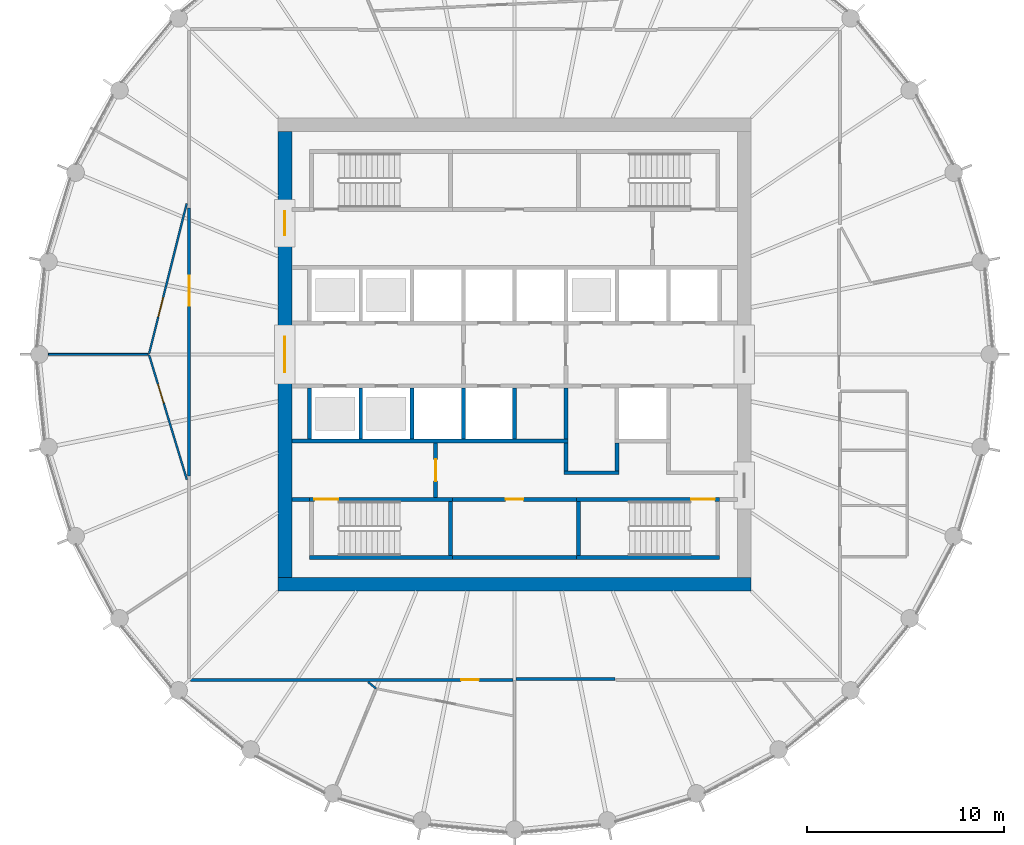
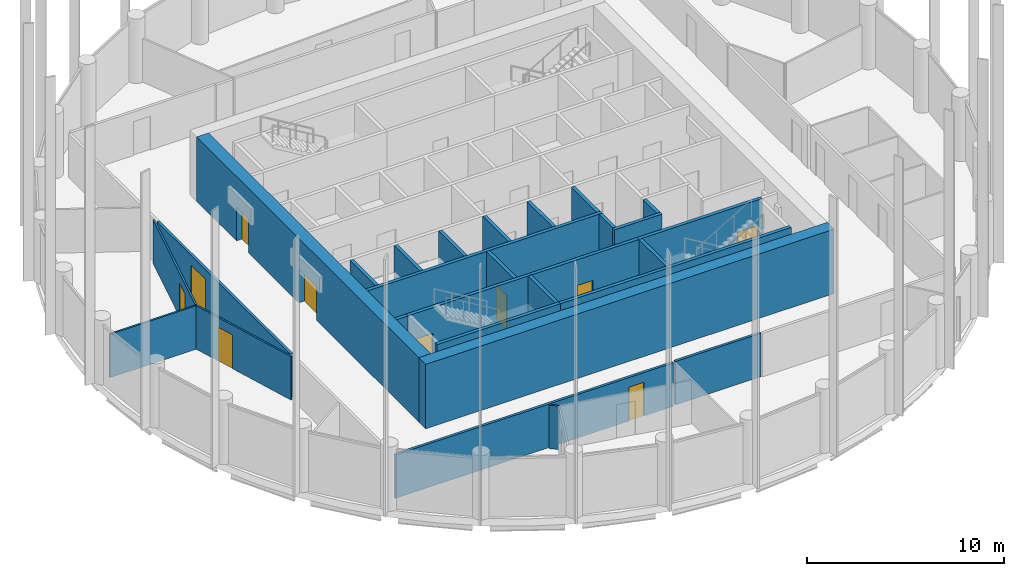
# One storey, part 4 of 9: 29 walls, 10 doors, 10 openings.
"""IFC4 building model written with IfcOpenShell, lengths in metres."""

from ifc_helpers import new_model, si_unit, direction, frame, frame_2d, origin, place, context, subcontext, project, spatial, polyline, rectangle, outline, extrude, material, layer, layer_set, type_object, element, fill, save


model = new_model("IFC4")

# Units and contexts
model_context = context("Model", 3, precision=1e-05, world=origin(), true_north=direction((0.0, 1.0)))
body_context = subcontext(model_context, "Body", "Model", "MODEL_VIEW")
ifc_project = project(units=[si_unit("LENGTHUNIT", "METRE"), si_unit("AREAUNIT", "SQUARE_METRE"), si_unit("VOLUMEUNIT", "CUBIC_METRE"), si_unit("PLANEANGLEUNIT", "RADIAN"), si_unit("MASSUNIT", "GRAM", prefix="KILO")], contexts=[model_context])

# Site, building, storey
site_placement = place(None, origin())
site = spatial("IfcSite", under=ifc_project, at=site_placement, CompositionType="ELEMENT")
building_placement = place(site_placement, origin())
building = spatial("IfcBuilding", under=site, at=building_placement, Name="Corvane Civic Tower", CompositionType="ELEMENT")
storey_placement = place(building_placement, frame((0.0, 0.0, 263.0)))
storey = spatial("IfcBuildingStorey", under=building, at=storey_placement, Name="L62", CompositionType="ELEMENT", Elevation=263.0)

# Wall
ifc_material_1 = material(Name="Concrete C40/50", Category="concrete")
ifc_layer_1 = layer(ifc_material_1, 0.699951171875)
ifc_layer_set_1 = layer_set([ifc_layer_1], Name="Concrete C40/50")
wall_type_1 = type_object("IfcWallType", Name="CORE WALL 700 C40/50", PredefinedType="SHEAR", material=ifc_layer_set_1)
wall_1_placement = place(storey_placement, frame((-12.0, -11.64990234375, 0.0), z_axis=(0.0, 0.0, 1.0), x_axis=(1.0, 0.0, 0.0)))
element("IfcWall", 1, at=wall_1_placement, inside=storey, type_object=wall_type_1, Name="W-L62-core-S", PredefinedType="SHEAR", context=body_context, shape_type="SweptSolid", body=[
    extrude(rectangle(XDim=24.0, YDim=0.699951171875, at=frame_2d((12.0, 0.0))), origin(), (0.0, 0.0, 1.0), 4.0),
])

# Wall, openings, doors
wall_2_placement = place(storey_placement, frame((-11.64990234375, -11.300048828125, 0.0), z_axis=(0.0, 0.0, 1.0), x_axis=(0.0, 1.0, 0.0)))
wall_2 = element("IfcWall", 2, at=wall_2_placement, inside=storey, type_object=wall_type_1, Name="W-L62-core-W", PredefinedType="SHEAR", context=body_context, shape_type="SweptSolid", body=[
    extrude(rectangle(XDim=22.60009765625, YDim=0.699951171875, at=frame_2d((11.300048828125, 0.0))), origin(), (0.0, 0.0, 1.0), 4.0),
])
opening_1_placement = place(wall_2_placement, frame((10.39990234375, 0.0, 0.0)))
opening_1 = element("IfcOpeningElement", 3, at=opening_1_placement, cuts=wall_2, Name="Opening L62.C14", PredefinedType="OPENING", context=body_context, shape_type="SweptSolid", body=[
    extrude(rectangle(XDim=1.800048828125, YDim=2.10009765625, at=frame_2d((0.89990234375, 1.050048828125))), frame((0.0, 0.35986328125, 0.0), z_axis=(0.0, -1.0, 0.0), x_axis=(1.0, 0.0, 0.0)), (0.0, 0.0, 1.0), 0.719970703125),
])
opening_2_placement = place(wall_2_placement, frame((17.35009765625, 0.0, 0.0)))
opening_2 = element("IfcOpeningElement", 4, at=opening_2_placement, cuts=wall_2, Name="Opening L62.C16", PredefinedType="OPENING", context=body_context, shape_type="SweptSolid", body=[
    extrude(rectangle(XDim=1.199951171875, YDim=2.10009765625, at=frame_2d((0.60009765625, 1.050048828125))), frame((0.0, 0.35986328125, 0.0), z_axis=(0.0, -1.0, 0.0), x_axis=(1.0, 0.0, 0.0)), (0.0, 0.0, 1.0), 0.719970703125),
])
ifc_material_2 = material(Name="Steel fire door leaf", Category="steel")
door_type_1 = type_object("IfcDoorType", Name="CR-DOOR-CORE-1800", OperationType="DOUBLE_DOOR_SINGLE_SWING", PredefinedType="DOOR", material=ifc_material_2)
door_1_placement = place(opening_1_placement, origin())
door_1 = element("IfcDoor", 5, at=door_1_placement, inside=storey, type_object=door_type_1, Name="L62 door", OperationType="DOUBLE_DOOR_SINGLE_SWING", OverallHeight=2.10009765625, OverallWidth=1.800048828125, PredefinedType="DOOR", context=body_context, shape_type="SweptSolid", body=[
    extrude(rectangle(XDim=1.800048828125, YDim=2.10009765625, at=frame_2d((0.89990234375, 1.050048828125))), frame((0.0, 0.02490234375, 0.0), z_axis=(0.0, -1.0, 0.0), x_axis=(1.0, 0.0, 0.0)), (0.0, 0.0, 1.0), 0.050048828125),
])
fill(opening_1, door_1)
door_2_placement = place(opening_2_placement, origin())
door_2 = element("IfcDoor", 6, at=door_2_placement, inside=storey, type_object=door_type_1, Name="L62 door", OperationType="DOUBLE_DOOR_SINGLE_SWING", OverallHeight=2.10009765625, OverallWidth=1.199951171875, PredefinedType="DOOR", context=body_context, shape_type="SweptSolid", body=[
    extrude(rectangle(XDim=1.199951171875, YDim=2.10009765625, at=frame_2d((0.60009765625, 1.050048828125))), frame((0.0, 0.02490234375, 0.0), z_axis=(0.0, -1.0, 0.0), x_axis=(1.0, 0.0, 0.0)), (0.0, 0.0, 1.0), 0.050048828125),
])
fill(opening_2, door_2)

# Wall, opening, door
ifc_material_3 = material(Name="Concrete C30/37", Category="concrete")
ifc_layer_2 = layer(ifc_material_3, 0.199951171875)
ifc_layer_set_2 = layer_set([ifc_layer_2], Name="Concrete C30/37")
wall_type_2 = type_object("IfcWallType", Name="CR-WALL-200", PredefinedType="PARTITIONING", material=ifc_layer_set_2)
wall_3_placement = place(storey_placement, frame((-3.14990234375, -7.35009765625, 0.0), z_axis=(0.0, 0.0, 1.0), x_axis=(1.0, 0.0, 0.0)))
wall_3 = element("IfcWall", 7, at=wall_3_placement, inside=storey, type_object=wall_type_2, Name="L62 core partition wall", PredefinedType="PARTITIONING", context=body_context, shape_type="SweptSolid", body=[
    extrude(rectangle(XDim=6.2998046875, YDim=0.199951171875, at=frame_2d((3.14990234375, 0.0))), origin(), (0.0, 0.0, 1.0), 3.699951171875),
])
opening_3_placement = place(wall_3_placement, frame((2.699951171875, 0.0, 0.0)))
opening_3 = element("IfcOpeningElement", 8, at=opening_3_placement, cuts=wall_3, Name="Opening L62.C05", PredefinedType="OPENING", context=body_context, shape_type="SweptSolid", body=[
    extrude(rectangle(XDim=0.89990234375, YDim=2.10009765625, at=frame_2d((0.449951171875, 1.050048828125))), frame((0.0, 0.10986328125, 0.0), z_axis=(0.0, -1.0, 0.0), x_axis=(1.0, 0.0, 0.0)), (0.0, 0.0, 1.0), 0.219970703125),
])
ifc_material_4 = material(Name="Steel fire door leaf", Category="steel")
door_type_2 = type_object("IfcDoorType", Name="CR-DOOR-900", OperationType="SINGLE_SWING_LEFT", PredefinedType="DOOR", material=ifc_material_4)
door_3_placement = place(opening_3_placement, origin())
door_3 = element("IfcDoor", 9, at=door_3_placement, inside=storey, type_object=door_type_2, Name="L62 door", OperationType="SINGLE_SWING_LEFT", OverallHeight=2.10009765625, OverallWidth=0.89990234375, PredefinedType="DOOR", context=body_context, shape_type="SweptSolid", body=[
    extrude(rectangle(XDim=0.89990234375, YDim=2.10009765625, at=frame_2d((0.449951171875, 1.050048828125))), frame((0.0, 0.02490234375, 0.0), z_axis=(0.0, -1.0, 0.0), x_axis=(1.0, 0.0, 0.0)), (0.0, 0.0, 1.0), 0.050048828125),
])
fill(opening_3, door_3)

wall_4_placement = place(storey_placement, frame((-4.0, -7.25, 0.0), z_axis=(0.0, 0.0, 1.0), x_axis=(0.0, 1.0, 0.0)))
wall_4 = element("IfcWall", 10, at=wall_4_placement, inside=storey, type_object=wall_type_2, Name="L62 core partition wall", PredefinedType="PARTITIONING", context=body_context, shape_type="SweptSolid", body=[
    extrude(rectangle(XDim=2.75, YDim=0.199951171875, at=frame_2d((1.375, 0.0))), origin(), (0.0, 0.0, 1.0), 3.699951171875),
])
opening_4_placement = place(wall_4_placement, frame((0.824951171875, 0.0, 0.0)))
opening_4 = element("IfcOpeningElement", 11, at=opening_4_placement, cuts=wall_4, Name="Opening L62.C13", PredefinedType="OPENING", context=body_context, shape_type="SweptSolid", body=[
    extrude(rectangle(XDim=1.10009765625, YDim=2.10009765625, at=frame_2d((0.550048828125, 1.050048828125))), frame((0.0, 0.10986328125, 0.0), z_axis=(0.0, -1.0, 0.0), x_axis=(1.0, 0.0, 0.0)), (0.0, 0.0, 1.0), 0.219970703125),
])
ifc_material_5 = material(Name="Steel fire door leaf", Category="steel")
door_type_3 = type_object("IfcDoorType", Name="CR-DOOR-FFL-1100", OperationType="SINGLE_SWING_LEFT", PredefinedType="DOOR", material=ifc_material_5)
door_4_placement = place(opening_4_placement, origin())
door_4 = element("IfcDoor", 12, at=door_4_placement, inside=storey, type_object=door_type_3, Name="L62 lobby door", OperationType="SINGLE_SWING_LEFT", OverallHeight=2.10009765625, OverallWidth=1.10009765625, PredefinedType="DOOR", context=body_context, shape_type="SweptSolid", body=[
    extrude(rectangle(XDim=1.10009765625, YDim=2.10009765625, at=frame_2d((0.550048828125, 1.050048828125))), frame((0.0, 0.02490234375, 0.0), z_axis=(0.0, -1.0, 0.0), x_axis=(1.0, 0.0, 0.0)), (0.0, 0.0, 1.0), 0.050048828125),
])
fill(opening_4, door_4)

# Walls
wall_5_placement = place(storey_placement, origin())
element("IfcWall", 13, at=wall_5_placement, inside=storey, type_object=wall_type_2, Name="L62 core partition wall", PredefinedType="PARTITIONING", context=body_context, shape_type="SweptSolid", body=[
    extrude(outline(polyline([(2.699951171875, -4.300048828125), (2.699951171875, -4.5), (-11.300048828125, -4.5), (-11.300048828125, -4.300048828125), (2.699951171875, -4.300048828125)])), origin(), (0.0, 0.0, 1.0), 3.699951171875),
])
wall_6_placement = place(storey_placement, origin())
element("IfcWall", 14, at=wall_6_placement, inside=storey, type_object=wall_type_2, Name="L62 core partition wall", PredefinedType="PARTITIONING", context=body_context, shape_type="SweptSolid", body=[
    extrude(outline(polyline([(5.300048828125, -6.10009765625), (2.5, -6.10009765625), (2.5, -5.89990234375), (5.300048828125, -5.89990234375), (5.300048828125, -6.10009765625)])), origin(), (0.0, 0.0, 1.0), 3.699951171875),
])
wall_7_placement = place(storey_placement, origin())
element("IfcWall", 15, at=wall_7_placement, inside=storey, type_object=wall_type_2, Name="L62 core partition wall", PredefinedType="PARTITIONING", context=body_context, shape_type="SweptSolid", body=[
    extrude(outline(polyline([(-2.5, -1.699951171875), (-2.5, -4.2998046875), (-2.699951171875, -4.2998046875), (-2.699951171875, -1.699951171875), (-2.5, -1.699951171875)])), origin(), (0.0, 0.0, 1.0), 3.699951171875),
])
wall_8_placement = place(storey_placement, origin())
element("IfcWall", 16, at=wall_8_placement, inside=storey, type_object=wall_type_2, Name="L62 core partition wall", PredefinedType="PARTITIONING", context=body_context, shape_type="SweptSolid", body=[
    extrude(outline(polyline([(2.699951171875, -1.699951171875), (2.699951171875, -4.2998046875), (2.5, -4.2998046875), (2.5, -1.699951171875), (2.699951171875, -1.699951171875)])), origin(), (0.0, 0.0, 1.0), 3.699951171875),
])
wall_9_placement = place(storey_placement, origin())
element("IfcWall", 17, at=wall_9_placement, inside=storey, type_object=wall_type_2, Name="L62 core partition wall", PredefinedType="PARTITIONING", context=body_context, shape_type="SweptSolid", body=[
    extrude(outline(polyline([(0.10009765625, -1.699951171875), (0.10009765625, -4.2998046875), (-0.10009765625, -4.2998046875), (-0.10009765625, -1.699951171875), (0.10009765625, -1.699951171875)])), origin(), (0.0, 0.0, 1.0), 3.699951171875),
])
wall_10_placement = place(storey_placement, origin())
element("IfcWall", 18, at=wall_10_placement, inside=storey, type_object=wall_type_2, Name="L62 core partition wall", PredefinedType="PARTITIONING", context=body_context, shape_type="SweptSolid", body=[
    extrude(outline(polyline([(-10.300048828125, -1.699951171875), (-10.300048828125, -4.2998046875), (-10.5, -4.2998046875), (-10.5, -1.699951171875), (-10.300048828125, -1.699951171875)])), origin(), (0.0, 0.0, 1.0), 3.699951171875),
])
wall_11_placement = place(storey_placement, origin())
element("IfcWall", 19, at=wall_11_placement, inside=storey, type_object=wall_type_2, Name="L62 core partition wall", PredefinedType="PARTITIONING", context=body_context, shape_type="SweptSolid", body=[
    extrude(outline(polyline([(-7.699951171875, -1.699951171875), (-7.699951171875, -4.2998046875), (-7.89990234375, -4.2998046875), (-7.89990234375, -1.699951171875), (-7.699951171875, -1.699951171875)])), origin(), (0.0, 0.0, 1.0), 3.699951171875),
])
wall_12_placement = place(storey_placement, origin())
element("IfcWall", 20, at=wall_12_placement, inside=storey, type_object=wall_type_2, Name="L62 core partition wall", PredefinedType="PARTITIONING", context=body_context, shape_type="SweptSolid", body=[
    extrude(outline(polyline([(-5.10009765625, -1.699951171875), (-5.10009765625, -4.2998046875), (-5.300048828125, -4.2998046875), (-5.300048828125, -1.699951171875), (-5.10009765625, -1.699951171875)])), origin(), (0.0, 0.0, 1.0), 3.699951171875),
])
wall_13_placement = place(storey_placement, origin())
element("IfcWall", 21, at=wall_13_placement, inside=storey, type_object=wall_type_2, Name="L62 core partition wall", PredefinedType="PARTITIONING", context=body_context, shape_type="SweptSolid", body=[
    extrude(outline(polyline([(2.699951171875, -5.89990234375), (2.5, -5.89990234375), (2.5, -4.5), (2.699951171875, -4.5), (2.699951171875, -5.89990234375)])), origin(), (0.0, 0.0, 1.0), 3.699951171875),
])
wall_14_placement = place(storey_placement, origin())
element("IfcWall", 22, at=wall_14_placement, inside=storey, type_object=wall_type_2, Name="L62 core partition wall", PredefinedType="PARTITIONING", context=body_context, shape_type="SweptSolid", body=[
    extrude(outline(polyline([(5.300048828125, -5.89990234375), (5.10009765625, -5.89990234375), (5.10009765625, -4.5), (5.300048828125, -4.5), (5.300048828125, -5.89990234375)])), origin(), (0.0, 0.0, 1.0), 3.699951171875),
])
wall_15_placement = place(storey_placement, origin())
element("IfcWall", 23, at=wall_15_placement, inside=storey, type_object=wall_type_2, Name="L62 core partition wall", PredefinedType="PARTITIONING", context=body_context, shape_type="SweptSolid", body=[
    extrude(outline(polyline([(-10.39990234375, -7.449951171875), (-11.300048828125, -7.449951171875), (-11.300048828125, -7.25), (-10.39990234375, -7.25), (-10.39990234375, -7.449951171875)])), origin(), (0.0, 0.0, 1.0), 3.699951171875),
])
wall_16_placement = place(storey_placement, origin())
element("IfcWall", 24, at=wall_16_placement, inside=storey, type_object=wall_type_2, Name="L62 core partition wall", PredefinedType="PARTITIONING", context=body_context, shape_type="SweptSolid", body=[
    extrude(outline(polyline([(3.14990234375, -10.39990234375), (-3.14990234375, -10.39990234375), (-3.14990234375, -10.199951171875), (3.14990234375, -10.199951171875), (3.14990234375, -10.39990234375)])), origin(), (0.0, 0.0, 1.0), 3.699951171875),
])

# Wall, opening, door
ifc_material_6 = material(Name="Plasterboard")
ifc_layer_3 = layer(ifc_material_6, 0.10009765625)
ifc_layer_set_3 = layer_set([ifc_layer_3], Name="Plasterboard")
wall_type_3 = type_object("IfcWallType", Name="Partition 100 plasterboard on studs", PredefinedType="PARTITIONING", material=ifc_layer_set_3)
wall_17_placement = place(storey_placement, frame((-18.532470703125, -0.035400390625, 0.0), z_axis=(0.0, 0.0, 1.0), x_axis=(0.290281445058, -0.956941316202, 0.0)))
wall_17 = element("IfcWall", 25, at=wall_17_placement, inside=storey, type_object=wall_type_3, Name="Partition L62.014", PredefinedType="PARTITIONING", context=body_context, shape_type="SweptSolid", body=[
    extrude(rectangle(XDim=6.601318359375, YDim=0.10009765625, at=frame_2d((3.30078125, 0.0))), origin(), (0.0, 0.0, 1.0), 2.699951171875),
])
opening_5_placement = place(wall_17_placement, frame((1.545166015625, 0.0, 0.0)))
opening_5 = element("IfcOpeningElement", 26, at=opening_5_placement, cuts=wall_17, Name="Opening L62.004", PredefinedType="OPENING", context=body_context, shape_type="SweptSolid", body=[
    extrude(rectangle(XDim=1.0, YDim=2.10009765625, at=frame_2d((0.5, 1.050048828125))), frame((0.0, 0.06005859375, 0.0), z_axis=(0.0, -1.0, 0.0), x_axis=(1.0, 0.0, 0.0)), (0.0, 0.0, 1.0), 0.1201171875),
])
ifc_material_7 = material(Name="Timber", Category="wood")
door_type_4 = type_object("IfcDoorType", Name="Single door 1000", OperationType="NOTDEFINED", PredefinedType="DOOR", material=ifc_material_7)
door_5_placement = place(opening_5_placement, frame((1.0, 0.0, 0.0), z_axis=(0.0, 0.0, 1.0), x_axis=(-1.0, 0.0, 0.0)))
door_5 = element("IfcDoor", 27, at=door_5_placement, inside=storey, type_object=door_type_4, Name="Door L62.004", OperationType="SINGLE_SWING_LEFT", OverallHeight=2.10009765625, OverallWidth=1.0, PredefinedType="DOOR", context=body_context, shape_type="SweptSolid", body=[
    extrude(rectangle(XDim=1.0, YDim=2.10009765625, at=frame_2d((0.5, 1.050048828125))), frame((0.0, 0.02490234375, 0.0), z_axis=(0.0, -1.0, 0.0), x_axis=(1.0, 0.0, 0.0)), (0.0, 0.0, 1.0), 0.050048828125),
])
fill(opening_5, door_5)

# Wall
wall_18_placement = place(storey_placement, frame((-23.64013671875, 0.0, 0.0), z_axis=(0.0, 0.0, 1.0), x_axis=(1.0, 0.0, 0.0)))
element("IfcWall", 28, at=wall_18_placement, inside=storey, type_object=wall_type_3, Name="Partition L62.019", PredefinedType="PARTITIONING", context=body_context, shape_type="SweptSolid", body=[
    extrude(rectangle(XDim=5.057861328125, YDim=0.10009765625, at=frame_2d((2.52880859375, 0.0))), origin(), (0.0, 0.0, 1.0), 2.699951171875),
])

# Wall, opening, door
wall_19_placement = place(storey_placement, frame((-18.53369140625, 0.037841796875, 0.0), z_axis=(0.0, 0.0, 1.0), x_axis=(0.242960200623, 0.970036257525, 0.0)))
wall_19 = element("IfcWall", 29, at=wall_19_placement, inside=storey, type_object=wall_type_3, Name="Partition L62.020", PredefinedType="PARTITIONING", context=body_context, shape_type="SweptSolid", body=[
    extrude(rectangle(XDim=7.846923828125, YDim=0.10009765625, at=frame_2d((3.92333984375, 0.0))), origin(), (0.0, 0.0, 1.0), 2.699951171875),
])
opening_6_placement = place(wall_19_placement, frame((1.93115234375, 0.0, 0.0)))
opening_6 = element("IfcOpeningElement", 30, at=opening_6_placement, cuts=wall_19, Name="Opening L62.005", PredefinedType="OPENING", context=body_context, shape_type="SweptSolid", body=[
    extrude(rectangle(XDim=1.0, YDim=2.10009765625, at=frame_2d((0.5, 1.050048828125))), frame((0.0, 0.06005859375, 0.0), z_axis=(0.0, -1.0, 0.0), x_axis=(1.0, 0.0, 0.0)), (0.0, 0.0, 1.0), 0.1201171875),
])
door_6_placement = place(opening_6_placement, origin())
door_6 = element("IfcDoor", 31, at=door_6_placement, inside=storey, type_object=door_type_4, Name="Door L62.005", OperationType="SINGLE_SWING_RIGHT", OverallHeight=2.10009765625, OverallWidth=1.0, PredefinedType="DOOR", context=body_context, shape_type="SweptSolid", body=[
    extrude(rectangle(XDim=1.0, YDim=2.10009765625, at=frame_2d((0.5, 1.050048828125))), frame((0.0, 0.02490234375, 0.0), z_axis=(0.0, -1.0, 0.0), x_axis=(1.0, 0.0, 0.0)), (0.0, 0.0, 1.0), 0.050048828125),
])
fill(opening_6, door_6)

# Wall
wall_20_placement = place(storey_placement, frame((-7.423828125, -16.614990234375, 0.0), z_axis=(0.0, 0.0, 1.0), x_axis=(0.773020543301, -0.634380989339, 0.0)))
element("IfcWall", 32, at=wall_20_placement, inside=storey, type_object=wall_type_3, Name="Partition L62.034", PredefinedType="PARTITIONING", context=body_context, shape_type="SweptSolid", body=[
    extrude(rectangle(XDim=0.52294921875, YDim=0.10009765625, at=frame_2d((0.261474609375, 0.0))), origin(), (0.0, 0.0, 1.0), 2.699951171875),
])

# Wall, opening, door
ifc_material_8 = material(Name="Concrete C50/60", Category="concrete")
ifc_layer_4 = layer(ifc_material_8, 0.199951171875)
ifc_layer_set_4 = layer_set([ifc_layer_4], Name="Concrete C50/60")
wall_type_4 = type_object("IfcWallType", Name="ST-WALL-200", PredefinedType="SHEAR", material=ifc_layer_set_4)
wall_21_placement = place(storey_placement, frame((-10.39990234375, -7.35009765625, 0.0), z_axis=(0.0, 0.0, 1.0), x_axis=(1.0, 0.0, 0.0)))
wall_21 = element("IfcWall", 33, at=wall_21_placement, inside=storey, type_object=wall_type_4, Name="L62 stair enclosure wall", PredefinedType="SHEAR", context=body_context, shape_type="SweptSolid", body=[
    extrude(rectangle(XDim=7.25, YDim=0.199951171875, at=frame_2d((3.625, 0.0))), origin(), (0.0, 0.0, 1.0), 3.699951171875),
])
opening_7_placement = place(wall_21_placement, frame((0.25, 0.0, 0.0)))
opening_7 = element("IfcOpeningElement", 34, at=opening_7_placement, cuts=wall_21, Name="Opening L62.C09", PredefinedType="OPENING", context=body_context, shape_type="SweptSolid", body=[
    extrude(rectangle(XDim=1.199951171875, YDim=2.10009765625, at=frame_2d((0.60009765625, 1.050048828125))), frame((0.0, 0.10986328125, 0.0), z_axis=(0.0, -1.0, 0.0), x_axis=(1.0, 0.0, 0.0)), (0.0, 0.0, 1.0), 0.219970703125),
])
ifc_material_9 = material(Name="Steel fire door leaf", Category="steel")
door_type_5 = type_object("IfcDoorType", Name="ST-DOOR-1200", OperationType="SINGLE_SWING_RIGHT", PredefinedType="DOOR", material=ifc_material_9)
door_7_placement = place(opening_7_placement, origin())
door_7 = element("IfcDoor", 35, at=door_7_placement, inside=storey, type_object=door_type_5, Name="L62 stair door", OperationType="SINGLE_SWING_RIGHT", OverallHeight=2.10009765625, OverallWidth=1.199951171875, PredefinedType="DOOR", context=body_context, shape_type="SweptSolid", body=[
    extrude(rectangle(XDim=1.199951171875, YDim=2.10009765625, at=frame_2d((0.60009765625, 1.050048828125))), frame((0.0, 0.02490234375, 0.0), z_axis=(0.0, -1.0, 0.0), x_axis=(1.0, 0.0, 0.0)), (0.0, 0.0, 1.0), 0.050048828125),
])
fill(opening_7, door_7)

wall_22_placement = place(storey_placement, frame((3.14990234375, -7.35009765625, 0.0), z_axis=(0.0, 0.0, 1.0), x_axis=(1.0, 0.0, 0.0)))
wall_22 = element("IfcWall", 36, at=wall_22_placement, inside=storey, type_object=wall_type_4, Name="L62 stair enclosure wall", PredefinedType="SHEAR", context=body_context, shape_type="SweptSolid", body=[
    extrude(rectangle(XDim=7.25, YDim=0.199951171875, at=frame_2d((3.625, 0.0))), origin(), (0.0, 0.0, 1.0), 3.699951171875),
])
opening_8_placement = place(wall_22_placement, frame((5.800048828125, 0.0, 0.0)))
opening_8 = element("IfcOpeningElement", 37, at=opening_8_placement, cuts=wall_22, Name="Opening L62.C08", PredefinedType="OPENING", context=body_context, shape_type="SweptSolid", body=[
    extrude(rectangle(XDim=1.199951171875, YDim=2.10009765625, at=frame_2d((0.60009765625, 1.050048828125))), frame((0.0, 0.10986328125, 0.0), z_axis=(0.0, -1.0, 0.0), x_axis=(1.0, 0.0, 0.0)), (0.0, 0.0, 1.0), 0.219970703125),
])
door_8_placement = place(opening_8_placement, origin())
door_8 = element("IfcDoor", 38, at=door_8_placement, inside=storey, type_object=door_type_5, Name="L62 stair door", OperationType="SINGLE_SWING_RIGHT", OverallHeight=2.10009765625, OverallWidth=1.199951171875, PredefinedType="DOOR", context=body_context, shape_type="SweptSolid", body=[
    extrude(rectangle(XDim=1.199951171875, YDim=2.10009765625, at=frame_2d((0.60009765625, 1.050048828125))), frame((0.0, 0.02490234375, 0.0), z_axis=(0.0, -1.0, 0.0), x_axis=(1.0, 0.0, 0.0)), (0.0, 0.0, 1.0), 0.050048828125),
])
fill(opening_8, door_8)

# Walls
wall_23_placement = place(storey_placement, origin())
element("IfcWall", 39, at=wall_23_placement, inside=storey, type_object=wall_type_4, Name="L62 stair enclosure wall", PredefinedType="SHEAR", context=body_context, shape_type="SweptSolid", body=[
    extrude(outline(polyline([(-3.14990234375, -10.199951171875), (-3.14990234375, -10.39990234375), (-10.39990234375, -10.39990234375), (-10.39990234375, -10.199951171875), (-3.14990234375, -10.199951171875)])), origin(), (0.0, 0.0, 1.0), 3.699951171875),
])
wall_24_placement = place(storey_placement, origin())
element("IfcWall", 40, at=wall_24_placement, inside=storey, type_object=wall_type_4, Name="L62 stair enclosure wall", PredefinedType="SHEAR", context=body_context, shape_type="SweptSolid", body=[
    extrude(outline(polyline([(10.39990234375, -10.39990234375), (3.14990234375, -10.39990234375), (3.14990234375, -10.199951171875), (10.39990234375, -10.199951171875), (10.39990234375, -10.39990234375)])), origin(), (0.0, 0.0, 1.0), 3.699951171875),
])
wall_25_placement = place(storey_placement, origin())
element("IfcWall", 41, at=wall_25_placement, inside=storey, type_object=wall_type_4, Name="L62 stair enclosure wall", PredefinedType="SHEAR", context=body_context, shape_type="SweptSolid", body=[
    extrude(outline(polyline([(-3.14990234375, -7.449951171875), (-3.14990234375, -10.199951171875), (-3.35009765625, -10.199951171875), (-3.35009765625, -7.449951171875), (-3.14990234375, -7.449951171875)])), origin(), (0.0, 0.0, 1.0), 3.699951171875),
])
wall_26_placement = place(storey_placement, origin())
element("IfcWall", 42, at=wall_26_placement, inside=storey, type_object=wall_type_4, Name="L62 stair enclosure wall", PredefinedType="SHEAR", context=body_context, shape_type="SweptSolid", body=[
    extrude(outline(polyline([(3.35009765625, -7.449951171875), (3.35009765625, -10.199951171875), (3.14990234375, -10.199951171875), (3.14990234375, -7.449951171875), (3.35009765625, -7.449951171875)])), origin(), (0.0, 0.0, 1.0), 3.699951171875),
])

# Wall, opening, door
ifc_material_10 = material(Name="Plasterboard")
ifc_layer_5 = layer(ifc_material_10, 0.14990234375)
ifc_layer_set_5 = layer_set([ifc_layer_5], Name="Plasterboard")
wall_type_5 = type_object("IfcWallType", Name="Tenancy wall 150 EI 60", PredefinedType="PARTITIONING", material=ifc_layer_set_5)
wall_27_placement = place(storey_placement, frame((-16.425048828125, -16.5, 0.0), z_axis=(0.0, 0.0, 1.0), x_axis=(1.0, 0.0, 0.0)))
wall_27 = element("IfcWall", 43, at=wall_27_placement, inside=storey, type_object=wall_type_5, Name="Partition L62.005", PredefinedType="PARTITIONING", context=body_context, shape_type="SweptSolid", body=[
    extrude(rectangle(XDim=16.35009765625, YDim=0.14990234375, at=frame_2d((8.175048828125, 0.0))), origin(), (0.0, 0.0, 1.0), 2.699951171875),
])
opening_9_placement = place(wall_27_placement, frame((13.714111328125, 0.0, 0.0)))
opening_9 = element("IfcOpeningElement", 44, at=opening_9_placement, cuts=wall_27, Name="Opening L62.003", PredefinedType="OPENING", context=body_context, shape_type="SweptSolid", body=[
    extrude(rectangle(XDim=0.89990234375, YDim=2.10009765625, at=frame_2d((0.449951171875, 1.050048828125))), frame((0.0, 0.0849609375, 0.0), z_axis=(0.0, -1.0, 0.0), x_axis=(1.0, 0.0, 0.0)), (0.0, 0.0, 1.0), 0.169921875),
])
ifc_material_11 = material(Name="Steel and timber", Category="steel")
door_type_6 = type_object("IfcDoorType", Name="Fire door FD30S 900", OperationType="NOTDEFINED", PredefinedType="DOOR", material=ifc_material_11)
door_9_placement = place(opening_9_placement, frame((0.89990234375, 0.0, 0.0), z_axis=(0.0, 0.0, 1.0), x_axis=(-1.0, 0.0, 0.0)))
door_9 = element("IfcDoor", 45, at=door_9_placement, inside=storey, type_object=door_type_6, Name="Door L62.003", OperationType="SINGLE_SWING_LEFT", OverallHeight=2.10009765625, OverallWidth=0.89990234375, PredefinedType="DOOR", context=body_context, shape_type="SweptSolid", body=[
    extrude(rectangle(XDim=0.89990234375, YDim=2.10009765625, at=frame_2d((0.449951171875, 1.050048828125))), frame((0.0, 0.02490234375, 0.0), z_axis=(0.0, -1.0, 0.0), x_axis=(1.0, 0.0, 0.0)), (0.0, 0.0, 1.0), 0.050048828125),
])
fill(opening_9, door_9)

# Wall
wall_28_placement = place(storey_placement, frame((0.074951171875, -16.449951171875, 0.0), z_axis=(0.0, 0.0, 1.0), x_axis=(1.0, 0.0, 0.0)))
element("IfcWall", 46, at=wall_28_placement, inside=storey, type_object=wall_type_5, Name="Partition L62.007", PredefinedType="PARTITIONING", context=body_context, shape_type="SweptSolid", body=[
    extrude(rectangle(XDim=5.016357421875, YDim=0.14990234375, at=frame_2d((2.50830078125, 0.0))), origin(), (0.0, 0.0, 1.0), 2.699951171875),
])

# Wall, opening, door
wall_29_placement = place(storey_placement, frame((-16.5, -6.156494140625, 0.0), z_axis=(0.0, 0.0, 1.0), x_axis=(0.0, 1.0, 0.0)))
wall_29 = element("IfcWall", 47, at=wall_29_placement, inside=storey, type_object=wall_type_5, Name="Partition L62.015", PredefinedType="PARTITIONING", context=body_context, shape_type="SweptSolid", body=[
    extrude(rectangle(XDim=13.57763671875, YDim=0.14990234375, at=frame_2d((6.788818359375, 0.0))), origin(), (0.0, 0.0, 1.0), 2.699951171875),
])
opening_10_placement = place(wall_29_placement, frame((8.6337890625, 0.0, 0.0)))
opening_10 = element("IfcOpeningElement", 48, at=opening_10_placement, cuts=wall_29, Name="Opening L62.006", PredefinedType="OPENING", context=body_context, shape_type="SweptSolid", body=[
    extrude(rectangle(XDim=1.5, YDim=2.10009765625, at=frame_2d((0.75, 1.050048828125))), frame((0.0, 0.0849609375, 0.0), z_axis=(0.0, -1.0, 0.0), x_axis=(1.0, 0.0, 0.0)), (0.0, 0.0, 1.0), 0.169921875),
])
ifc_material_12 = material(Name="Steel and timber", Category="steel")
door_type_7 = type_object("IfcDoorType", Name="Fire door FD60 double 1500", OperationType="NOTDEFINED", PredefinedType="DOOR", material=ifc_material_12)
door_10_placement = place(opening_10_placement, origin())
door_10 = element("IfcDoor", 49, at=door_10_placement, inside=storey, type_object=door_type_7, Name="Door L62.006", OperationType="DOUBLE_DOOR_SINGLE_SWING", OverallHeight=2.10009765625, OverallWidth=1.5, PredefinedType="DOOR", context=body_context, shape_type="SweptSolid", body=[
    extrude(rectangle(XDim=1.5, YDim=2.10009765625, at=frame_2d((0.75, 1.050048828125))), frame((0.0, 0.02490234375, 0.0), z_axis=(0.0, -1.0, 0.0), x_axis=(1.0, 0.0, 0.0)), (0.0, 0.0, 1.0), 0.050048828125),
])
fill(opening_10, door_10)

save(model, "model.ifc")
